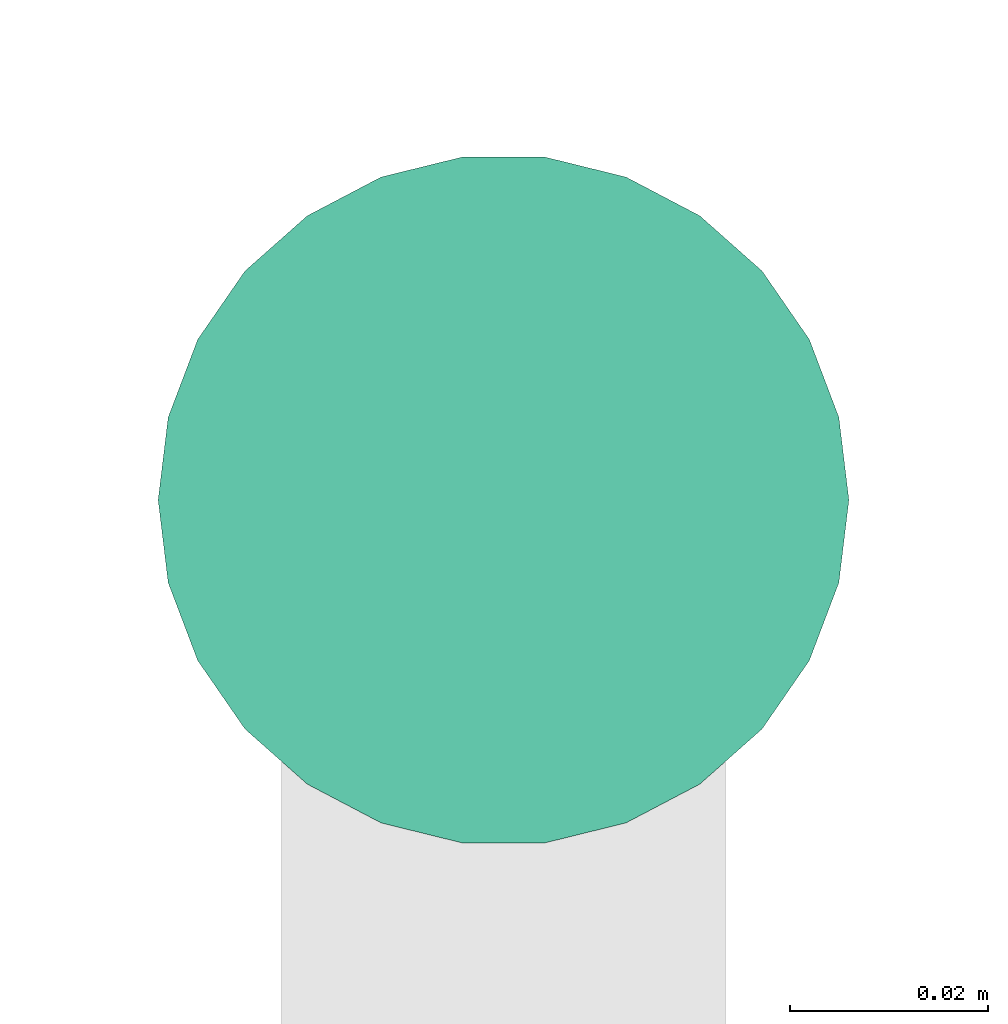
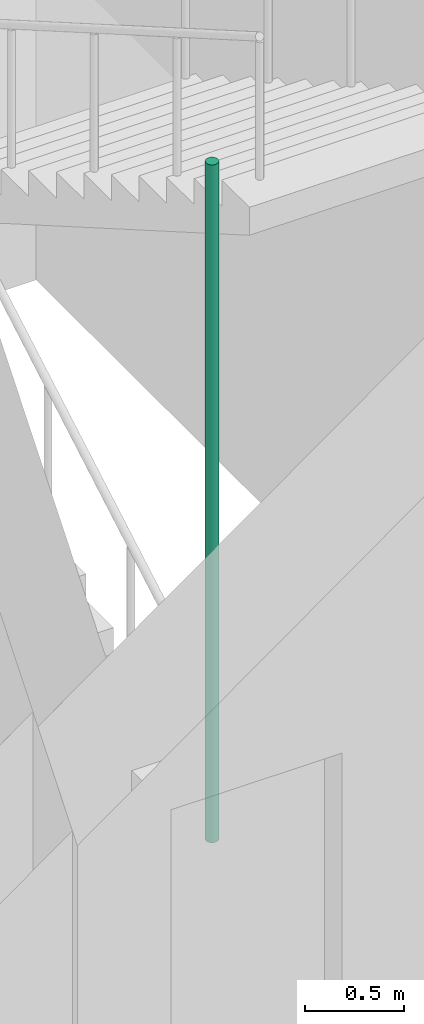
# One storey, part 33 of 36: 1 pipe segment.
"""IFC4 building model written with IfcOpenShell, lengths in metres."""

from ifc_helpers import new_model, si_unit, direction, frame, origin, origin_2d, place, context, subcontext, project, spatial, circle, extrude, element, save


model = new_model("IFC4")

# Units and contexts
model_context = context("Model", 3, precision=1e-05, world=origin(), true_north=direction((0.0, 1.0)))
body_context = subcontext(model_context, "Body", "Model", "MODEL_VIEW")
ifc_project = project(units=[si_unit("LENGTHUNIT", "METRE"), si_unit("AREAUNIT", "SQUARE_METRE"), si_unit("VOLUMEUNIT", "CUBIC_METRE"), si_unit("PLANEANGLEUNIT", "RADIAN"), si_unit("MASSUNIT", "GRAM", prefix="KILO")], contexts=[model_context])

# Site, building, storey
site_placement = place(None, origin())
site = spatial("IfcSite", under=ifc_project, at=site_placement, CompositionType="ELEMENT")
building_placement = place(site_placement, origin())
building = spatial("IfcBuilding", under=site, at=building_placement, Name="Nzadi Deep Aquarium and Research Tower", CompositionType="ELEMENT")
storey_placement = place(building_placement, frame((0.0, 0.0, 44.5)))
storey = spatial("IfcBuildingStorey", under=building, at=storey_placement, Name="L08", CompositionType="ELEMENT", Elevation=44.5)

# Pipe segment
pipe_segment_placement = place(storey_placement, frame((25.10009765625, 13.719970703125, 0.0), z_axis=(0.0, 0.0, 1.0), x_axis=(1.0, 0.0, 0.0)))
element("IfcPipeSegment", 1, at=pipe_segment_placement, inside=storey, Name="Dry riser ST-Z1-SE L08", PredefinedType="RIGIDSEGMENT", context=body_context, shape_type="SweptSolid", body=[
    extrude(circle(Radius=0.034912109375, at=origin_2d()), origin(), (0.0, 0.0, 1.0), 4.199951171875),
])

save(model, "model.ifc")
